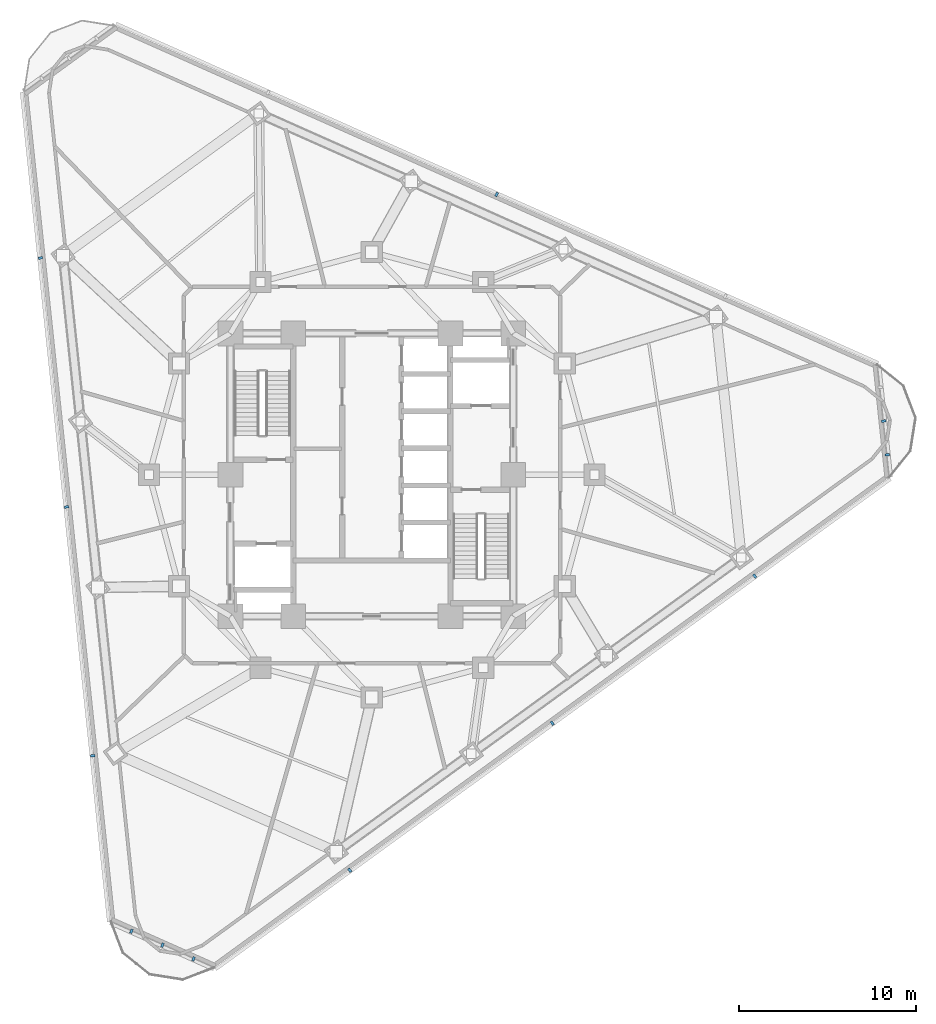
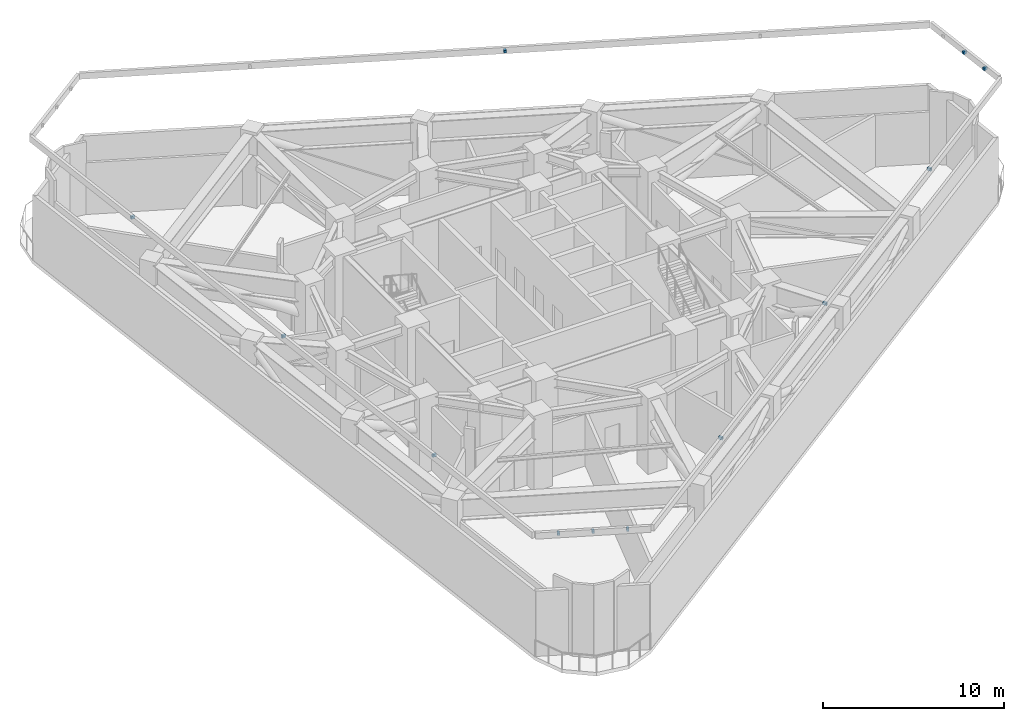
# One storey, part 6 of 10: 12 discrete accessories.
"""IFC4 building model written with IfcOpenShell, lengths in metres."""

from ifc_helpers import new_model, si_unit, direction, frame, origin, origin_2d, place, context, subcontext, project, spatial, rectangle, extrude, material, type_object, element, save


model = new_model("IFC4")

# Units and contexts
model_context = context("Model", 3, precision=1e-05, world=origin(), true_north=direction((0.0, 1.0)))
body_context = subcontext(model_context, "Body", "Model", "MODEL_VIEW")
ifc_project = project(units=[si_unit("LENGTHUNIT", "METRE"), si_unit("AREAUNIT", "SQUARE_METRE"), si_unit("VOLUMEUNIT", "CUBIC_METRE"), si_unit("PLANEANGLEUNIT", "RADIAN"), si_unit("MASSUNIT", "GRAM", prefix="KILO")], contexts=[model_context])

# Site, building, storey
site_placement = place(None, origin())
site = spatial("IfcSite", under=ifc_project, at=site_placement, CompositionType="ELEMENT")
building_placement = place(site_placement, origin())
building = spatial("IfcBuilding", under=site, at=building_placement, Name="Terralouvre Media Tower", CompositionType="ELEMENT")
storey_placement = place(building_placement, frame((0.0, 0.0, 149.5)))
storey = spatial("IfcBuildingStorey", under=building, at=storey_placement, Name="L38", CompositionType="ELEMENT", Elevation=149.5)

# Discrete accessories
ifc_material = material(Name="Anodised extruded aluminium 6063-T6", Category="aluminium")
discrete_accessory_type = type_object("IfcDiscreteAccessoryType", Name="Mullion Stand-Off Baguette Fixing Bracket BK-01", PredefinedType="BRACKET", material=ifc_material)
for number, where, z_axis, x_axis, name in (
    (1, (-1.24853515625, -22.3720703125, 8.17822265625), (0.0, 0.0, 1.0), (0.809016917383, 0.587785358263, 0.0), "CW-L38-F0 Louvre Bracket 01"),
    (2, (10.207275390625, -14.049072265625, 8.17822265625), (0.0, 0.0, 1.0), (0.809016917383, 0.587785358263, 0.0), "CW-L38-F0 Louvre Bracket 02"),
    (3, (21.662841796875, -5.725830078125, 8.17822265625), (0.0, 0.0, 1.0), (0.809016917383, 0.587785358263, 0.0), "CW-L38-F0 Louvre Bracket 03"),
    (4, (7.063232421875, 15.8642578125, 8.17822265625), (0.0, 0.0, 1.0), (-0.913545469547, 0.406736616337, 0.0), "CW-L38-F1 Louvre Bracket 02"),
    (5, (-18.75048828125, 12.267333984375, 8.17822265625), (0.0, 0.0, 1.0), (0.104528376236, -0.994521904516, 0.0), "CW-L38-F2 Louvre Bracket 01"),
    (6, (-17.270263671875, -1.815185546875, 8.17822265625), (0.0, 0.0, 1.0), (0.104528376236, -0.994521904516, 0.0), "CW-L38-F2 Louvre Bracket 02"),
    (7, (-15.790283203125, -15.897705078125, 8.17822265625), (0.0, 0.0, 1.0), (0.104528376236, -0.994521904516, 0.0), "CW-L38-F2 Louvre Bracket 03"),
    (8, (-13.600830078125, -25.8212890625, 8.17822265625), (0.0, 0.0, 1.0), (0.913545408199, -0.406736754128, 0.0), "CW-L38-C0 Louvre Bracket 01"),
    (9, (-11.844482421875, -26.603271484375, 8.17822265625), (0.0, 0.0, 1.0), (0.913545408199, -0.406736754128, 0.0), "CW-L38-C0 Louvre Bracket 02"),
    (10, (-10.088134765625, -27.38525390625, 8.17822265625), (0.0, 0.0, 1.0), (0.913545408199, -0.406736754128, 0.0), "CW-L38-C0 Louvre Bracket 03"),
    (11, (29.162353515625, 1.1318359375, 8.17822265625), (0.0, 0.0, 1.0), (-0.10452850319, 0.994521891172, 0.0), "CW-L38-C1 Louvre Bracket 01"),
    (12, (28.96142578125, 3.0439453125, 8.17822265625), (0.0, 0.0, 1.0), (-0.10452850319, 0.994521891172, 0.0), "CW-L38-C1 Louvre Bracket 02"),
):
    element("IfcDiscreteAccessory", number, at=place(storey_placement, frame(where, z_axis=z_axis, x_axis=x_axis)), inside=storey, type_object=discrete_accessory_type, Name=name, PredefinedType="BRACKET", context=body_context, shape_type="SweptSolid", body=[
        extrude(rectangle(XDim=0.139892578125, YDim=0.239990234375, at=origin_2d()), origin(), (0.0, 0.0, 1.0), 0.179931640625),
    ])

save(model, "model.ifc")
